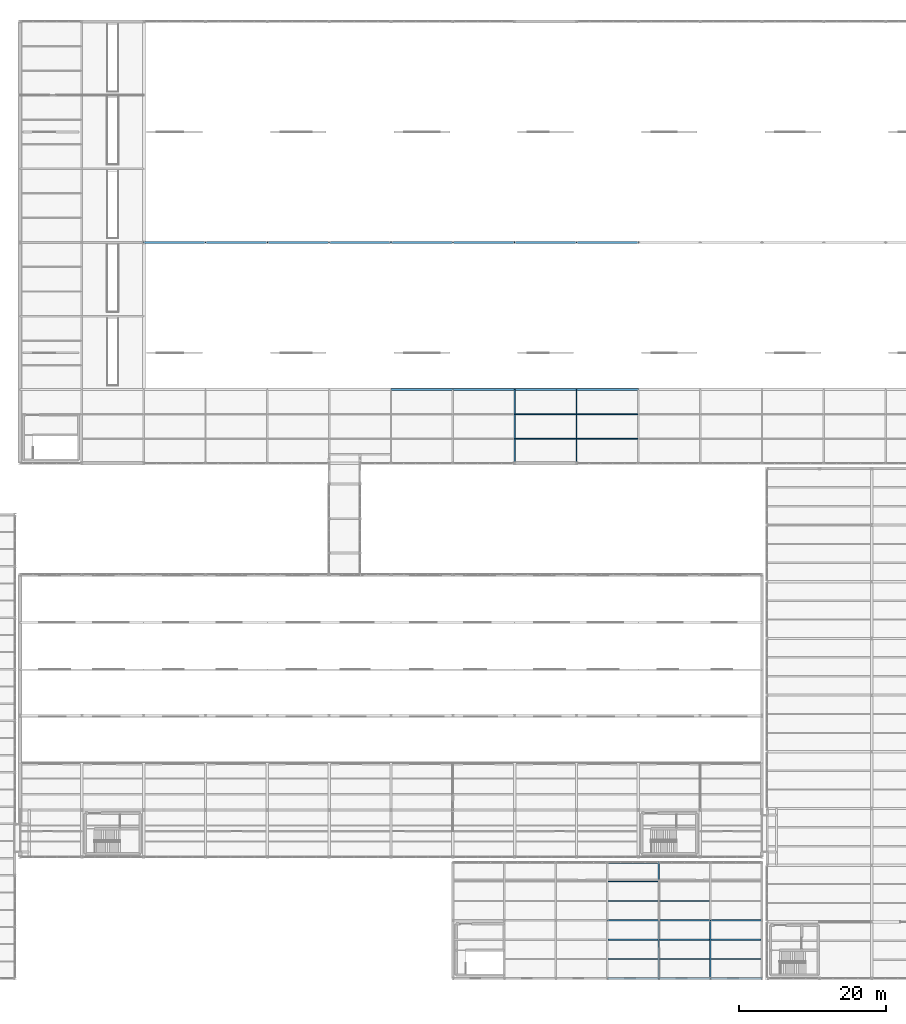
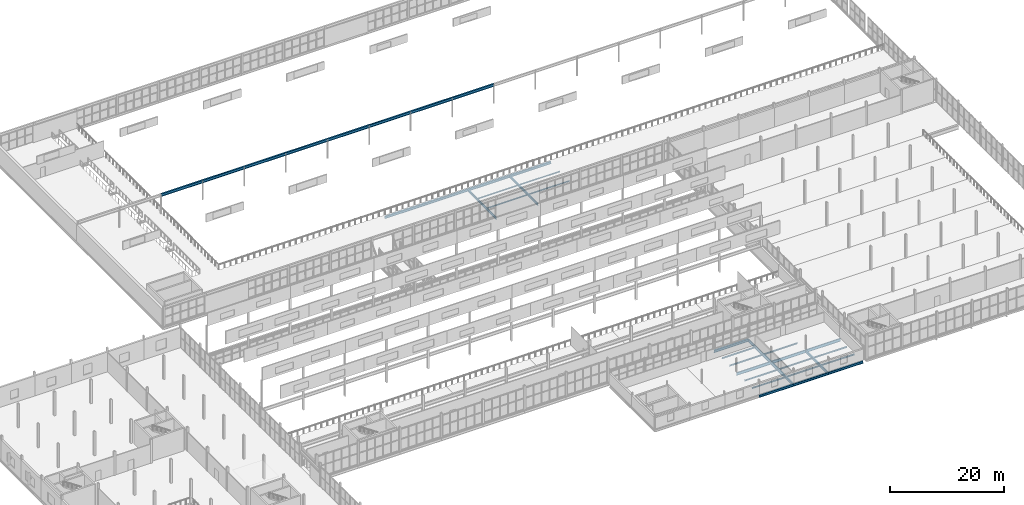
# One storey, part 102 of 218: 37 beams.
"""IFC4 building model written with IfcOpenShell, lengths in metres."""

from ifc_helpers import new_model, si_unit, direction, frame, origin, origin_2d, place, context, subcontext, project, spatial, i_section, extrude, material, material_profile, profile_set, type_object, element, save


model = new_model("IFC4")

# Units and contexts
model_context = context("Model", 3, precision=1e-05, world=origin(), true_north=direction((0.0, 1.0)))
body_context = subcontext(model_context, "Body", "Model", "MODEL_VIEW")
ifc_project = project(units=[si_unit("LENGTHUNIT", "METRE"), si_unit("AREAUNIT", "SQUARE_METRE"), si_unit("VOLUMEUNIT", "CUBIC_METRE"), si_unit("PLANEANGLEUNIT", "RADIAN"), si_unit("MASSUNIT", "GRAM", prefix="KILO")], contexts=[model_context])

# Site, building, storey
site_placement = place(None, origin())
site = spatial("IfcSite", under=ifc_project, at=site_placement, CompositionType="ELEMENT")
building_placement = place(site_placement, origin())
building = spatial("IfcBuilding", under=site, at=building_placement, Name="Kazenagashi Tramway Depot", CompositionType="ELEMENT")
storey_placement = place(building_placement, frame((0.0, 0.0, 6.0)))
storey = spatial("IfcBuildingStorey", under=building, at=storey_placement, Name="L02", CompositionType="ELEMENT", Elevation=6.0)

# Beams
ifc_material_1 = material(Name="Steel SN490B", Category="steel")
ifc_material_profile_1 = material_profile(ifc_material_1, i_section(OverallWidth=0.2, OverallDepth=0.6, WebThickness=0.011, FlangeThickness=0.017, at=origin_2d()), Name="H-600x200x11x17")
ifc_profile_set_1 = profile_set([ifc_material_profile_1], Name="Steel SN490B")
beam_type_1 = type_object("IfcBeamType", Name="G-03", PredefinedType="BEAM", material=ifc_profile_set_1)
for number, where, z_axis, x_axis, name in (
    (1, (124.6, 7.9, -0.525), (1.0, 0.0, 0.0), (0.0, 1.0, 0.0), "Beam G-03 BM-1599"),
    (2, (131.6, 7.9, -0.525), (1.0, 0.0, 0.0), (0.0, 1.0, 0.0), "Beam G-03 BM-1600"),
    (3, (138.6, 7.9, -0.525), (1.0, 0.0, 0.0), (0.0, 1.0, 0.0), "Beam G-03 BM-1601"),
):
    element("IfcBeam", number, at=place(storey_placement, frame(where, z_axis=z_axis, x_axis=x_axis)), inside=storey, type_object=beam_type_1, Name=name, PredefinedType="BEAM", context=body_context, shape_type="SweptSolid", body=[
        extrude(i_section(OverallWidth=0.2, OverallDepth=0.6, WebThickness=0.011, FlangeThickness=0.017, at=origin_2d()), origin(), (0.0, 0.0, 1.0), 7.0),
    ])
for number, where, z_axis, x_axis, name in (
    (4, (131.6, 0.0, -0.525), (0.0, 1.0, 0.0), (-1.0, 0.0, 0.0), "Beam G-03 BM-1631"),
    (5, (131.6, 7.9, -0.525), (0.0, 1.0, 0.0), (-1.0, 0.0, 0.0), "Beam G-03 BM-1634"),
    (6, (138.6, 0.0, -0.525), (0.0, 1.0, 0.0), (-1.0, 0.0, 0.0), "Beam G-03 BM-1637"),
):
    element("IfcBeam", number, at=place(storey_placement, frame(where, z_axis=z_axis, x_axis=x_axis)), inside=storey, type_object=beam_type_1, Name=name, PredefinedType="BEAM", context=body_context, shape_type="SweptSolid", body=[
        extrude(i_section(OverallWidth=0.2, OverallDepth=0.6, WebThickness=0.011, FlangeThickness=0.017, at=origin_2d()), origin(), (0.0, 0.0, 1.0), 7.9),
    ])
ifc_material_profile_2 = material_profile(ifc_material_1, i_section(OverallWidth=0.2, OverallDepth=0.5, WebThickness=0.01, FlangeThickness=0.016, at=origin_2d()), Name="H-500x200x10x16")
ifc_profile_set_2 = profile_set([ifc_material_profile_2], Name="Steel SN490B")
beam_type_2 = type_object("IfcBeamType", Name="G-05", PredefinedType="BEAM", material=ifc_profile_set_2)
for number, where, z_axis, x_axis, name in (
    (7, (112.0, 70.0, -0.515), (0.0, 1.0, 0.0), (-1.0, 0.0, 0.0), "Beam G-05 BM-1760"),
    (8, (120.4, 70.0, -0.515), (0.0, 1.0, 0.0), (-1.0, 0.0, 0.0), "Beam G-05 BM-1763"),
):
    element("IfcBeam", number, at=place(storey_placement, frame(where, z_axis=z_axis, x_axis=x_axis)), inside=storey, type_object=beam_type_2, Name=name, PredefinedType="BEAM", context=body_context, shape_type="SweptSolid", body=[
        extrude(i_section(OverallWidth=0.2, OverallDepth=0.5, WebThickness=0.01, FlangeThickness=0.016, at=origin_2d()), origin(), (0.0, 0.0, 1.0), 10.0),
    ])
ifc_material_2 = material(Name="Steel SN400B", Category="steel")
ifc_material_profile_3 = material_profile(ifc_material_2, i_section(OverallWidth=0.15, OverallDepth=0.3, WebThickness=0.0065, FlangeThickness=0.009, at=origin_2d()), Name="H-300x150x6.5x9")
ifc_profile_set_3 = profile_set([ifc_material_profile_3], Name="Steel SN400B")
beam_type_3 = type_object("IfcBeamType", Name="J-02", PredefinedType="JOIST", material=ifc_profile_set_3)
for number, where, z_axis, x_axis, name in (
    (9, (124.7, 2.633, -0.375), (1.0, 0.0, 0.0), (0.0, 1.0, 0.0), "Beam J-02 BM-1626"),
    (10, (124.7, 5.267, -0.375), (1.0, 0.0, 0.0), (0.0, 1.0, 0.0), "Beam J-02 BM-1627"),
    (11, (124.7, 10.533, -0.375), (1.0, 0.0, 0.0), (0.0, 1.0, 0.0), "Beam J-02 BM-1629"),
    (12, (124.7, 13.167, -0.375), (1.0, 0.0, 0.0), (0.0, 1.0, 0.0), "Beam J-02 BM-1630"),
    (13, (131.7, 2.633, -0.375), (1.0, 0.0, 0.0), (0.0, 1.0, 0.0), "Beam J-02 BM-1632"),
    (14, (131.7, 5.267, -0.375), (1.0, 0.0, 0.0), (0.0, 1.0, 0.0), "Beam J-02 BM-1633"),
    (15, (131.7, 10.533, -0.375), (1.0, 0.0, 0.0), (0.0, 1.0, 0.0), "Beam J-02 BM-1635"),
):
    element("IfcBeam", number, at=place(storey_placement, frame(where, z_axis=z_axis, x_axis=x_axis)), inside=storey, type_object=beam_type_3, Name=name, PredefinedType="JOIST", context=body_context, shape_type="SweptSolid", body=[
        extrude(i_section(OverallWidth=0.15, OverallDepth=0.3, WebThickness=0.0065, FlangeThickness=0.009, at=origin_2d()), origin(), (0.0, 0.0, 1.0), 6.8),
    ])
for number, where, z_axis, x_axis, name in (
    (16, (138.7, 2.633, -0.375), (1.0, 0.0, 0.0), (0.0, 1.0, 0.0), "Beam J-02 BM-1638"),
    (17, (138.7, 5.267, -0.375), (1.0, 0.0, 0.0), (0.0, 1.0, 0.0), "Beam J-02 BM-1639"),
):
    element("IfcBeam", number, at=place(storey_placement, frame(where, z_axis=z_axis, x_axis=x_axis)), inside=storey, type_object=beam_type_3, Name=name, PredefinedType="JOIST", context=body_context, shape_type="SweptSolid", body=[
        extrude(i_section(OverallWidth=0.15, OverallDepth=0.3, WebThickness=0.0065, FlangeThickness=0.009, at=origin_2d()), origin(), (0.0, 0.0, 1.0), 6.75),
    ])
ifc_material_profile_4 = material_profile(ifc_material_2, i_section(OverallWidth=0.125, OverallDepth=0.25, WebThickness=0.006, FlangeThickness=0.009, at=origin_2d()), Name="H-250x125x6x9")
ifc_profile_set_4 = profile_set([ifc_material_profile_4], Name="Steel SN400B")
beam_type_4 = type_object("IfcBeamType", Name="J-03", PredefinedType="JOIST", material=ifc_profile_set_4)
for number, where, z_axis, x_axis, name in (
    (18, (112.1, 73.333, -0.39), (1.0, 0.0, 0.0), (0.0, 1.0, 0.0), "Beam J-03 BM-1761"),
    (19, (112.1, 76.667, -0.39), (1.0, 0.0, 0.0), (0.0, 1.0, 0.0), "Beam J-03 BM-1762"),
    (20, (120.5, 73.333, -0.39), (1.0, 0.0, 0.0), (0.0, 1.0, 0.0), "Beam J-03 BM-1764"),
    (21, (120.5, 76.667, -0.39), (1.0, 0.0, 0.0), (0.0, 1.0, 0.0), "Beam J-03 BM-1765"),
):
    element("IfcBeam", number, at=place(storey_placement, frame(where, z_axis=z_axis, x_axis=x_axis)), inside=storey, type_object=beam_type_4, Name=name, PredefinedType="JOIST", context=body_context, shape_type="SweptSolid", body=[
        extrude(i_section(OverallWidth=0.125, OverallDepth=0.25, WebThickness=0.006, FlangeThickness=0.009, at=origin_2d()), origin(), (0.0, 0.0, 1.0), 8.2),
    ])
ifc_material_profile_5 = material_profile(ifc_material_1, i_section(OverallWidth=0.3, OverallDepth=0.588, WebThickness=0.012, FlangeThickness=0.02, at=origin_2d()), Name="H-588x300x12x20")
ifc_profile_set_5 = profile_set([ifc_material_profile_5], Name="Steel SN490B")
beam_type_5 = type_object("IfcBeamType", Name="SP-01", PredefinedType="SPANDREL", material=ifc_profile_set_5)
for number, where, z_axis, x_axis, name in (
    (22, (61.6, 100.0, 3.906), (1.0, 0.0, 0.0), (0.0, 1.0, 0.0), "Beam SP-01 BM-1864"),
    (23, (70.0, 100.0, 3.906), (1.0, 0.0, 0.0), (0.0, 1.0, 0.0), "Beam SP-01 BM-1865"),
    (24, (78.4, 100.0, 3.906), (1.0, 0.0, 0.0), (0.0, 1.0, 0.0), "Beam SP-01 BM-1866"),
    (25, (86.8, 100.0, 3.906), (1.0, 0.0, 0.0), (0.0, 1.0, 0.0), "Beam SP-01 BM-1867"),
    (26, (95.2, 100.0, 3.906), (1.0, 0.0, 0.0), (0.0, 1.0, 0.0), "Beam SP-01 BM-1868"),
    (27, (103.6, 100.0, 3.906), (1.0, 0.0, 0.0), (0.0, 1.0, 0.0), "Beam SP-01 BM-1869"),
    (28, (112.0, 100.0, 3.906), (1.0, 0.0, 0.0), (0.0, 1.0, 0.0), "Beam SP-01 BM-1870"),
    (29, (120.4, 100.0, 3.906), (1.0, 0.0, 0.0), (0.0, 1.0, 0.0), "Beam SP-01 BM-1871"),
):
    element("IfcBeam", number, at=place(storey_placement, frame(where, z_axis=z_axis, x_axis=x_axis)), inside=storey, type_object=beam_type_5, Name=name, PredefinedType="SPANDREL", context=body_context, shape_type="SweptSolid", body=[
        extrude(i_section(OverallWidth=0.3, OverallDepth=0.588, WebThickness=0.012, FlangeThickness=0.02, at=origin_2d()), origin(), (0.0, 0.0, 1.0), 8.4),
    ])
ifc_material_profile_6 = material_profile(ifc_material_1, i_section(OverallWidth=0.3, OverallDepth=0.488, WebThickness=0.011, FlangeThickness=0.018, at=origin_2d()), Name="H-488x300x11x18")
ifc_profile_set_6 = profile_set([ifc_material_profile_6], Name="Steel SN490B")
beam_type_6 = type_object("IfcBeamType", Name="SP-02", PredefinedType="SPANDREL", material=ifc_profile_set_6)
for number, where, z_axis, x_axis, name in (
    (30, (124.6, 0.0, -0.469), (1.0, 0.0, 0.0), (0.0, 1.0, 0.0), "Beam SP-02 BM-1593"),
    (31, (131.6, 0.0, -0.469), (1.0, 0.0, 0.0), (0.0, 1.0, 0.0), "Beam SP-02 BM-1594"),
    (32, (138.6, 0.0, -0.469), (1.0, 0.0, 0.0), (0.0, 1.0, 0.0), "Beam SP-02 BM-1595"),
    (33, (124.6, 15.8, -0.469), (1.0, 0.0, 0.0), (0.0, 1.0, 0.0), "Beam SP-02 BM-1605"),
):
    element("IfcBeam", number, at=place(storey_placement, frame(where, z_axis=z_axis, x_axis=x_axis)), inside=storey, type_object=beam_type_6, Name=name, PredefinedType="SPANDREL", context=body_context, shape_type="SweptSolid", body=[
        extrude(i_section(OverallWidth=0.3, OverallDepth=0.488, WebThickness=0.011, FlangeThickness=0.018, at=origin_2d()), origin(), (0.0, 0.0, 1.0), 7.0),
    ])
for number, where, z_axis, x_axis, name in (
    (34, (95.2, 80.0, -0.509), (1.0, 0.0, 0.0), (0.0, 1.0, 0.0), "Beam SP-02 BM-1725"),
    (35, (103.6, 80.0, -0.509), (1.0, 0.0, 0.0), (0.0, 1.0, 0.0), "Beam SP-02 BM-1726"),
    (36, (112.0, 80.0, -0.509), (1.0, 0.0, 0.0), (0.0, 1.0, 0.0), "Beam SP-02 BM-1727"),
    (37, (120.4, 80.0, -0.509), (1.0, 0.0, 0.0), (0.0, 1.0, 0.0), "Beam SP-02 BM-1728"),
):
    element("IfcBeam", number, at=place(storey_placement, frame(where, z_axis=z_axis, x_axis=x_axis)), inside=storey, type_object=beam_type_6, Name=name, PredefinedType="SPANDREL", context=body_context, shape_type="SweptSolid", body=[
        extrude(i_section(OverallWidth=0.3, OverallDepth=0.488, WebThickness=0.011, FlangeThickness=0.018, at=origin_2d()), origin(), (0.0, 0.0, 1.0), 8.4),
    ])

save(model, "model.ifc")
